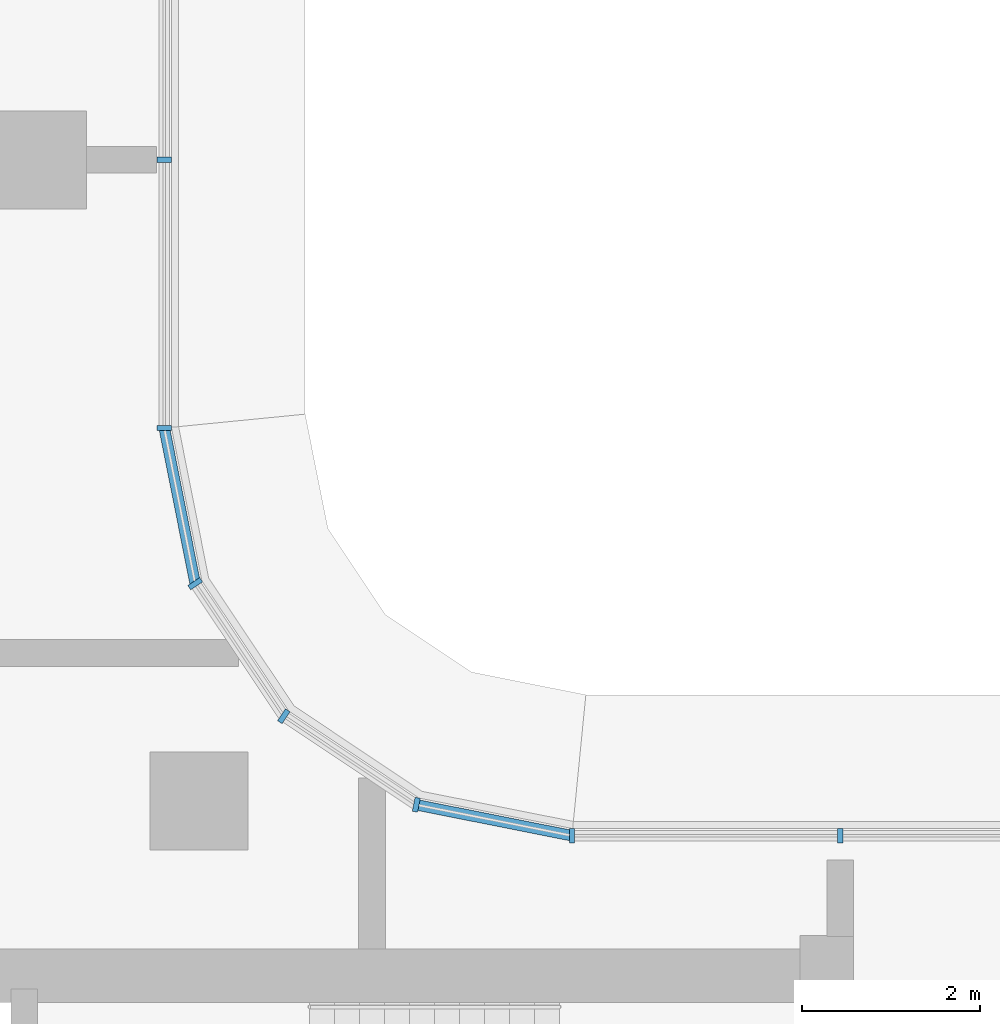
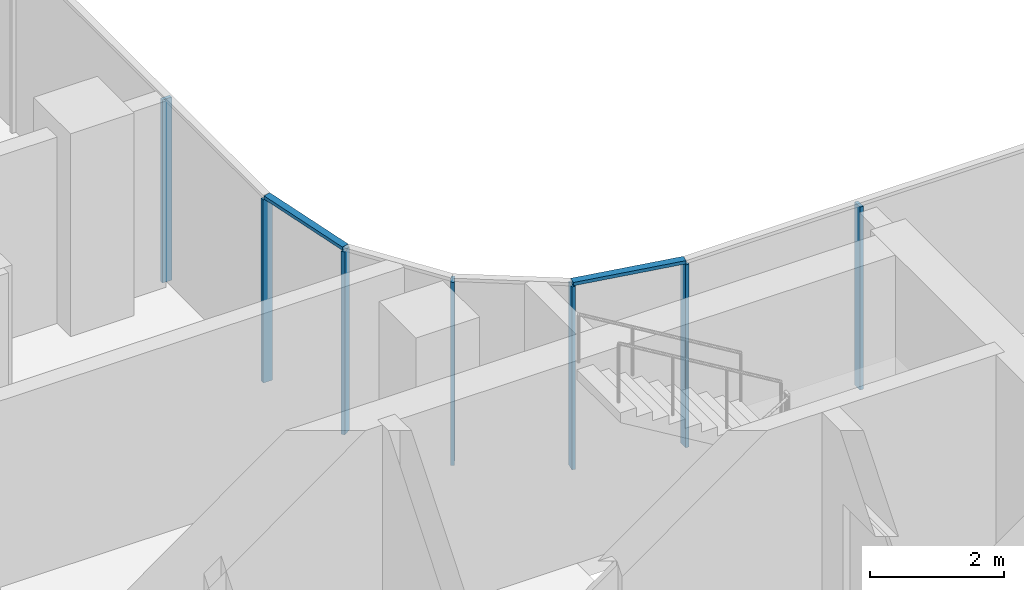
# One storey, part 2 of 24: 9 members, 3 elements without a shape of their own.
"""IFC4 building model written with IfcOpenShell, lengths in metres."""

from ifc_helpers import new_model, si_unit, direction, frame, origin, origin_2d, place, context, subcontext, project, spatial, rectangle, extrude, material, material_profile, profile_set, type_object, element, aggregate, save


model = new_model("IFC4")

# Units and contexts
model_context = context("Model", 3, precision=1e-05, world=origin(), true_north=direction((0.0, 1.0)))
body_context = subcontext(model_context, "Body", "Model", "MODEL_VIEW")
ifc_project = project(units=[si_unit("LENGTHUNIT", "METRE"), si_unit("AREAUNIT", "SQUARE_METRE"), si_unit("VOLUMEUNIT", "CUBIC_METRE"), si_unit("PLANEANGLEUNIT", "RADIAN"), si_unit("MASSUNIT", "GRAM", prefix="KILO")], contexts=[model_context])

# Site, building, storey
site_placement = place(None, origin())
site = spatial("IfcSite", under=ifc_project, at=site_placement, CompositionType="ELEMENT")
building_placement = place(site_placement, origin())
building = spatial("IfcBuilding", under=site, at=building_placement, Name="Ogive Portal Towers", CompositionType="ELEMENT")
storey_placement = place(building_placement, frame((0.0, 0.0, 142.199951171875)))
storey = spatial("IfcBuildingStorey", under=building, at=storey_placement, Name="L34", CompositionType="ELEMENT", Elevation=142.199951171875)

# Curtain wall, members
ifc_material_1 = material(Name="Glass, clear low-iron insulated glazing", Category="glass")
curtain_wall_type = type_object("IfcCurtainWallType", Name="CW FRONT RIBBON 4500", PredefinedType="NOTDEFINED", material=ifc_material_1)
curtain_wall_1_placement = place(storey_placement, origin())
curtain_wall_1 = element("IfcCurtainWall", 1, at=curtain_wall_1_placement, inside=storey, type_object=curtain_wall_type, Name="A:L34:f12:cw0", PredefinedType="NOTDEFINED")
ifc_material_2 = material(Name="Aluminium 6063 anodised", Category="aluminium")
ifc_material_profile_1 = material_profile(ifc_material_2, rectangle(XDim=0.159912109375, YDim=0.06005859375, at=origin_2d()), Name="AL 60x160")
ifc_profile_set_1 = profile_set([ifc_material_profile_1], Name="Aluminium 6063 anodised")
member_type_1 = type_object("IfcMemberType", Name="CW MULLION 60x160", PredefinedType="MULLION", material=ifc_profile_set_1)
member_1_placement = place(storey_placement, frame((58.5, 40.919921875, 0.0), z_axis=(0.0, 0.0, 1.0), x_axis=(0.0, -1.0, 0.0)))
member_1 = element("IfcMember", 2, at=member_1_placement, type_object=member_type_1, Name="mullion", PredefinedType="MULLION", context=body_context, shape_type="SweptSolid", body=[
    extrude(rectangle(XDim=0.159912109375, YDim=0.06005859375, at=origin_2d()), origin(), (0.0, 0.0, 1.0), 3.340087890625),
])
member_2_placement = place(storey_placement, frame((55.4921875, 40.919921875, 0.0), z_axis=(0.0, 0.0, 1.0), x_axis=(0.0, -1.0, 0.0)))
member_2 = element("IfcMember", 3, at=member_2_placement, type_object=member_type_1, Name="mullion", PredefinedType="MULLION", context=body_context, shape_type="SweptSolid", body=[
    extrude(rectangle(XDim=0.159912109375, YDim=0.06005859375, at=origin_2d()), origin(), (0.0, 0.0, 1.0), 3.340087890625),
])
aggregate(curtain_wall_1, [member_1, member_2])

curtain_wall_2_placement = place(storey_placement, origin())
curtain_wall_2 = element("IfcCurtainWall", 4, at=curtain_wall_2_placement, inside=storey, type_object=curtain_wall_type, Name="A:L34:f17:cw0", PredefinedType="NOTDEFINED")
member_3_placement = place(storey_placement, frame((50.919921875, 45.4921875, 0.0), z_axis=(0.0, 0.0, 1.0), x_axis=(-1.0, 0.0, 0.0)))
member_3 = element("IfcMember", 5, at=member_3_placement, type_object=member_type_1, Name="mullion", PredefinedType="MULLION", context=body_context, shape_type="SweptSolid", body=[
    extrude(rectangle(XDim=0.159912109375, YDim=0.06005859375, at=origin_2d()), origin(), (0.0, 0.0, 1.0), 3.340087890625),
])
member_4_placement = place(storey_placement, frame((50.919921875, 48.5, 0.0), z_axis=(0.0, 0.0, 1.0), x_axis=(-1.0, 0.0, 0.0)))
member_4 = element("IfcMember", 6, at=member_4_placement, type_object=member_type_1, Name="mullion", PredefinedType="MULLION", context=body_context, shape_type="SweptSolid", body=[
    extrude(rectangle(XDim=0.159912109375, YDim=0.06005859375, at=origin_2d()), origin(), (0.0, 0.0, 1.0), 3.340087890625),
])
aggregate(curtain_wall_2, [member_3, member_4])

curtain_wall_3_placement = place(storey_placement, origin())
curtain_wall_3 = element("IfcCurtainWall", 7, at=curtain_wall_3_placement, inside=storey, type_object=curtain_wall_type, Name="A:L34:f13:cwa", PredefinedType="NOTDEFINED")
member_5_placement = place(storey_placement, frame((53.746826171875, 41.26708984375, 0.0), z_axis=(0.0, 0.0, 1.0), x_axis=(-0.195090322016, -0.980785280403, 0.0)))
member_5 = element("IfcMember", 8, at=member_5_placement, type_object=member_type_1, Name="mullion", PredefinedType="MULLION", context=body_context, shape_type="SweptSolid", body=[
    extrude(rectangle(XDim=0.159912109375, YDim=0.06005859375, at=origin_2d()), origin(), (0.0, 0.0, 1.0), 3.340087890625),
])
member_6_placement = place(storey_placement, frame((52.26025390625, 42.26025390625, 0.0), z_axis=(0.0, 0.0, 1.0), x_axis=(-0.55557023302, -0.831469612303, 0.0)))
member_6 = element("IfcMember", 9, at=member_6_placement, type_object=member_type_1, Name="mullion", PredefinedType="MULLION", context=body_context, shape_type="SweptSolid", body=[
    extrude(rectangle(XDim=0.159912109375, YDim=0.06005859375, at=origin_2d()), origin(), (0.0, 0.0, 1.0), 3.340087890625),
])
member_7_placement = place(storey_placement, frame((51.26708984375, 43.746826171875, 0.0), z_axis=(0.0, 0.0, 1.0), x_axis=(-0.831469612303, -0.55557023302, 0.0)))
member_7 = element("IfcMember", 10, at=member_7_placement, type_object=member_type_1, Name="mullion", PredefinedType="MULLION", context=body_context, shape_type="SweptSolid", body=[
    extrude(rectangle(XDim=0.159912109375, YDim=0.06005859375, at=origin_2d()), origin(), (0.0, 0.0, 1.0), 3.340087890625),
])
ifc_material_profile_2 = material_profile(ifc_material_2, rectangle(XDim=0.1201171875, YDim=0.06005859375, at=origin_2d()), Name="AL 120x60")
ifc_profile_set_2 = profile_set([ifc_material_profile_2], Name="Aluminium 6063 anodised")
member_type_2 = type_object("IfcMemberType", Name="CW TRANSOM 60x120", PredefinedType="USERDEFINED", material=ifc_profile_set_2)
member_8_placement = place(storey_placement, frame((55.4921875, 40.919921875, 3.3701171875), z_axis=(-0.980785923915, 0.195087086838, 0.0), x_axis=(-0.195087086838, -0.980785923915, 0.0)))
member_8 = element("IfcMember", 11, at=member_8_placement, type_object=member_type_2, Name="transom", ObjectType="TRANSOM", PredefinedType="USERDEFINED", context=body_context, shape_type="SweptSolid", body=[
    extrude(rectangle(XDim=0.1201171875, YDim=0.06005859375, at=origin_2d()), origin(), (0.0, 0.0, 1.0), 1.779541015625),
])
member_9_placement = place(storey_placement, frame((51.26708984375, 43.746826171875, 3.3701171875), z_axis=(-0.195087086838, 0.980785923915, 0.0), x_axis=(-0.980785923915, -0.195087086838, 0.0)))
member_9 = element("IfcMember", 12, at=member_9_placement, type_object=member_type_2, Name="transom", ObjectType="TRANSOM", PredefinedType="USERDEFINED", context=body_context, shape_type="SweptSolid", body=[
    extrude(rectangle(XDim=0.1201171875, YDim=0.06005859375, at=origin_2d()), origin(), (0.0, 0.0, 1.0), 1.779541015625),
])
aggregate(curtain_wall_3, [member_8, member_9, member_5, member_6, member_7])

save(model, "model.ifc")
